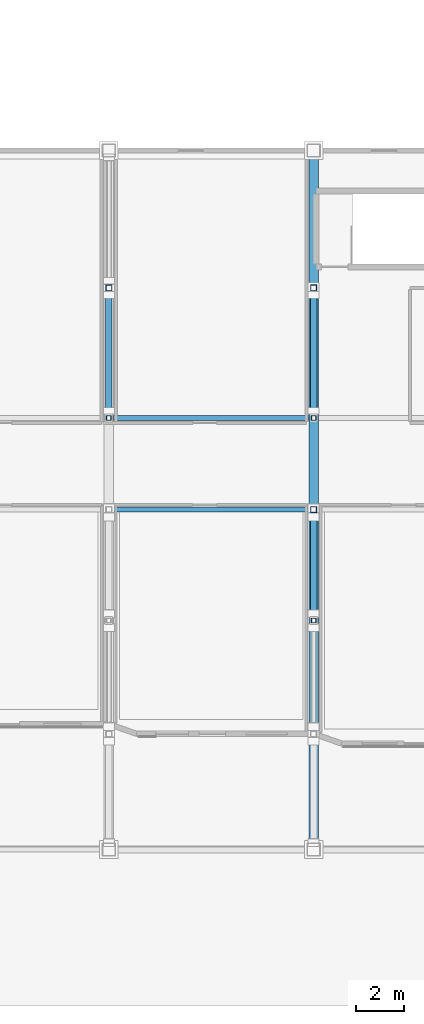
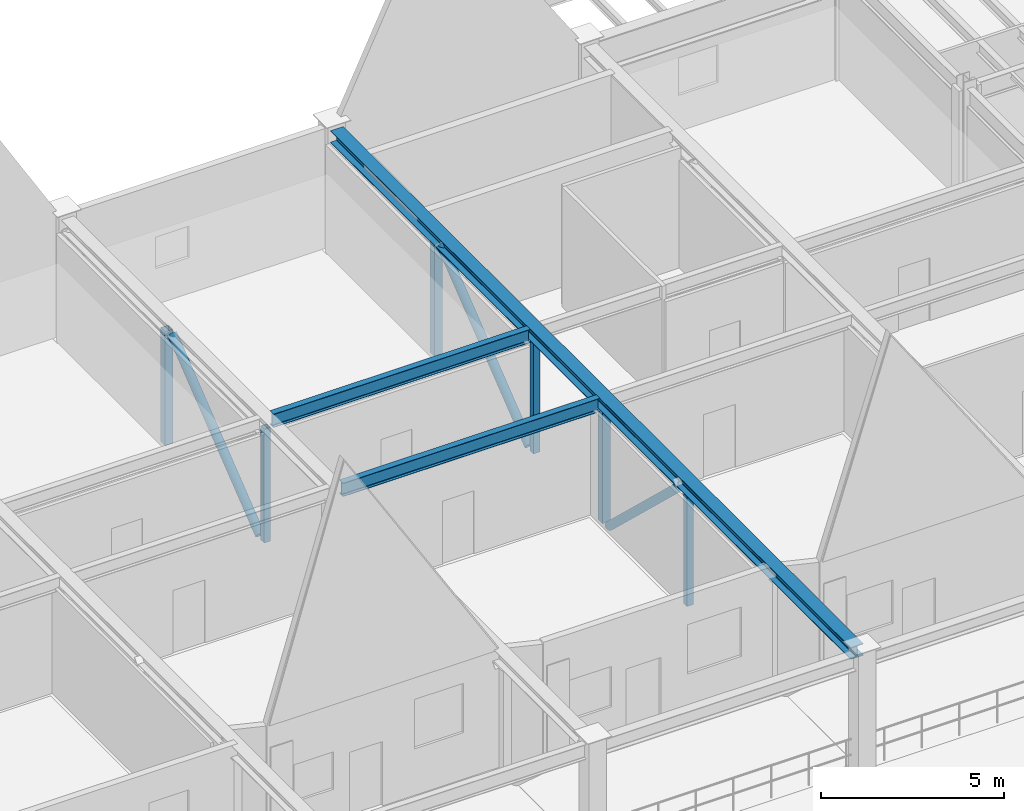
# One storey, part 31 of 78: 9 members, 3 beams.
"""IFC4 building model written with IfcOpenShell, lengths in metres."""

from ifc_helpers import new_model, si_unit, direction, frame, origin, origin_2d, place, context, subcontext, project, spatial, hollow_rectangle, hollow_circle, i_section, extrude, material, material_profile, profile_set, type_object, element, save


model = new_model("IFC4")

# Units and contexts
model_context = context("Model", 3, precision=1e-05, world=origin(), true_north=direction((0.0, 1.0)))
body_context = subcontext(model_context, "Body", "Model", "MODEL_VIEW")
ifc_project = project(units=[si_unit("LENGTHUNIT", "METRE"), si_unit("AREAUNIT", "SQUARE_METRE"), si_unit("VOLUMEUNIT", "CUBIC_METRE"), si_unit("PLANEANGLEUNIT", "RADIAN"), si_unit("MASSUNIT", "GRAM", prefix="KILO"), si_unit("THERMODYNAMICTEMPERATUREUNIT", "KELVIN"), si_unit("POWERUNIT", "WATT")], contexts=[model_context])

# Site, building, storey
site_placement = place(None, origin())
site = spatial("IfcSite", under=ifc_project, at=site_placement, CompositionType="ELEMENT")
building_placement = place(site_placement, origin())
building = spatial("IfcBuilding", under=site, at=building_placement, Name="Zhenchuan Central Fire Station", CompositionType="ELEMENT")
storey_placement = place(building_placement, frame((0.0, 0.0, 5.85009765625)))
storey = spatial("IfcBuildingStorey", under=building, at=storey_placement, Name="L02", CompositionType="ELEMENT", Elevation=5.85009765625)

# Beams
ifc_material = material(Name="Steel Q355B", Category="steel")
ifc_material_profile_1 = material_profile(ifc_material, i_section(OverallWidth=0.199951171875, OverallDepth=0.449951171875, WebThickness=0.009033203125, FlangeThickness=0.013916015625, FilletRadius=0.01806640625, at=origin_2d()), Name="HN 450x200")
ifc_profile_set_1 = profile_set([ifc_material_profile_1], Name="Steel Q355B")
beam_type_1 = type_object("IfcBeamType", Name="BM-HN450", PredefinedType="BEAM", material=ifc_profile_set_1)
for number, where, z_axis, x_axis, name in (
    (1, (115.697021484375, 20.60009765625, 3.77490234375), (1.0, 0.0, 0.0), (0.0, 1.0, 0.0), "Pavilion Corridor Tie Girder 0554"),
    (2, (115.697021484375, 24.39990234375, 3.77490234375), (1.0, 0.0, 0.0), (0.0, 1.0, 0.0), "Pavilion Corridor Tie Girder 0555"),
):
    element("IfcBeam", number, at=place(storey_placement, frame(where, z_axis=z_axis, x_axis=x_axis)), inside=storey, type_object=beam_type_1, Name=name, PredefinedType="BEAM", context=body_context, shape_type="SweptSolid", body=[
        extrude(i_section(OverallWidth=0.199951171875, OverallDepth=0.449951171875, WebThickness=0.009033203125, FlangeThickness=0.013916015625, FilletRadius=0.01806640625, at=origin_2d()), origin(), (0.0, 0.0, 1.0), 8.10595703125),
    ])
ifc_material_profile_2 = material_profile(ifc_material, i_section(OverallWidth=0.39990234375, OverallDepth=0.39990234375, WebThickness=0.012939453125, FlangeThickness=0.02099609375, FilletRadius=0.02197265625, at=origin_2d()), Name="HW 400x400")
ifc_profile_set_2 = profile_set([ifc_material_profile_2], Name="Steel Q355B")
beam_type_2 = type_object("IfcBeamType", Name="BM-HW400-INT", PredefinedType="BEAM", material=ifc_profile_set_2)
beam_placement = place(storey_placement, frame((124.0, 6.77490234375, 3.7998046875), z_axis=(0.0, 1.0, 0.0), x_axis=(-1.0, 0.0, 0.0)))
element("IfcBeam", 3, at=beam_placement, inside=storey, type_object=beam_type_2, Name="Pratt Transfer Truss TT-09 Top Chord", PredefinedType="BEAM", context=body_context, shape_type="SweptSolid", body=[
    extrude(i_section(OverallWidth=0.39990234375, OverallDepth=0.39990234375, WebThickness=0.012939453125, FlangeThickness=0.02099609375, FilletRadius=0.02197265625, at=origin_2d()), origin(), (0.0, 0.0, 1.0), 28.4501953125),
])

# Members
ifc_material_profile_3 = material_profile(ifc_material, hollow_circle(Radius=0.136474609375, WallThickness=0.011962890625, at=origin_2d()), Name="CHS 273x12")
ifc_profile_set_3 = profile_set([ifc_material_profile_3], Name="Steel Q355B")
member_type_1 = type_object("IfcMemberType", Name="MB-BR-CHS273", PredefinedType="BRACE", material=ifc_profile_set_3)
member_1_placement = place(storey_placement, frame((115.5, 24.699951171875, -0.2001953125), z_axis=(0.0, 0.784045015832, 0.620703965791), x_axis=(-1.0, 0.0, 0.0)))
element("IfcMember", 4, at=member_1_placement, inside=storey, type_object=member_type_1, Name="Transfer Truss TT-08 Web Diagonal 5", PredefinedType="BRACE", context=body_context, shape_type="SweptSolid", body=[
    extrude(hollow_circle(Radius=0.136474609375, WallThickness=0.011962890625, at=origin_2d()), origin(), (0.0, 0.0, 1.0), 6.1220703125),
])
member_2_placement = place(storey_placement, frame((124.0, 16.300048828125, 3.599853515625), z_axis=(0.0, 0.724995014376, -0.688754113694), x_axis=(-1.0, 0.0, 0.0)))
element("IfcMember", 5, at=member_2_placement, inside=storey, type_object=member_type_1, Name="Transfer Truss TT-09 Web Diagonal 3", PredefinedType="BRACE", context=body_context, shape_type="SweptSolid", body=[
    extrude(hollow_circle(Radius=0.136474609375, WallThickness=0.011962890625, at=origin_2d()), origin(), (0.0, 0.0, 1.0), 5.517333984375),
])
member_3_placement = place(storey_placement, frame((124.0, 24.699951171875, -0.2001953125), z_axis=(0.0, 0.784045015832, 0.620703965791), x_axis=(-1.0, 0.0, 0.0)))
element("IfcMember", 6, at=member_3_placement, inside=storey, type_object=member_type_1, Name="Transfer Truss TT-09 Web Diagonal 5", PredefinedType="BRACE", context=body_context, shape_type="SweptSolid", body=[
    extrude(hollow_circle(Radius=0.136474609375, WallThickness=0.011962890625, at=origin_2d()), origin(), (0.0, 0.0, 1.0), 6.1220703125),
])
ifc_material_profile_4 = material_profile(ifc_material, hollow_rectangle(XDim=0.199951171875, YDim=0.199951171875, WallThickness=0.010009765625, at=origin_2d()), Name="SHS 200x200x10")
ifc_profile_set_4 = profile_set([ifc_material_profile_4], Name="Steel Q355B")
member_type_2 = type_object("IfcMemberType", Name="MB-CH-SHS200", PredefinedType="CHORD", material=ifc_profile_set_4)
for number, where, z_axis, x_axis, name in (
    (7, (115.5, 24.39990234375, -0.2001953125), (0.0, 0.0, 1.0), (1.0, 0.0, 0.0), "Transfer Truss TT-08 Web Post 4"),
    (8, (124.0, 16.0, -0.2001953125), (0.0, 0.0, 1.0), (1.0, 0.0, 0.0), "Transfer Truss TT-09 Web Post 2"),
    (9, (124.0, 24.39990234375, -0.2001953125), (0.0, 0.0, 1.0), (1.0, 0.0, 0.0), "Transfer Truss TT-09 Web Post 4"),
):
    element("IfcMember", number, at=place(storey_placement, frame(where, z_axis=z_axis, x_axis=x_axis)), inside=storey, type_object=member_type_2, Name=name, PredefinedType="CHORD", context=body_context, shape_type="SweptSolid", body=[
        extrude(hollow_rectangle(XDim=0.199951171875, YDim=0.199951171875, WallThickness=0.010009765625, at=origin_2d()), origin(), (0.0, 0.0, 1.0), 3.800048828125),
    ])
ifc_material_profile_5 = material_profile(ifc_material, hollow_rectangle(XDim=0.25, YDim=0.25, WallThickness=0.011962890625, at=origin_2d()), Name="SHS 250x250x12")
ifc_profile_set_5 = profile_set([ifc_material_profile_5], Name="Steel Q355B")
member_type_3 = type_object("IfcMemberType", Name="MB-CH-SHS250", PredefinedType="CHORD", material=ifc_profile_set_5)
for number, where, z_axis, x_axis, name in (
    (10, (115.5, 29.800048828125, -0.2001953125), (0.0, 0.0, 1.0), (1.0, 0.0, 0.0), "Transfer Truss TT-08 Web Post 5"),
    (11, (124.0, 20.60009765625, -0.2001953125), (0.0, 0.0, 1.0), (1.0, 0.0, 0.0), "Transfer Truss TT-09 Web Post 3"),
    (12, (124.0, 29.800048828125, -0.2001953125), (0.0, 0.0, 1.0), (1.0, 0.0, 0.0), "Transfer Truss TT-09 Web Post 5"),
):
    element("IfcMember", number, at=place(storey_placement, frame(where, z_axis=z_axis, x_axis=x_axis)), inside=storey, type_object=member_type_3, Name=name, PredefinedType="CHORD", context=body_context, shape_type="SweptSolid", body=[
        extrude(hollow_rectangle(XDim=0.25, YDim=0.25, WallThickness=0.011962890625, at=origin_2d()), origin(), (0.0, 0.0, 1.0), 3.800048828125),
    ])

save(model, "model.ifc")
